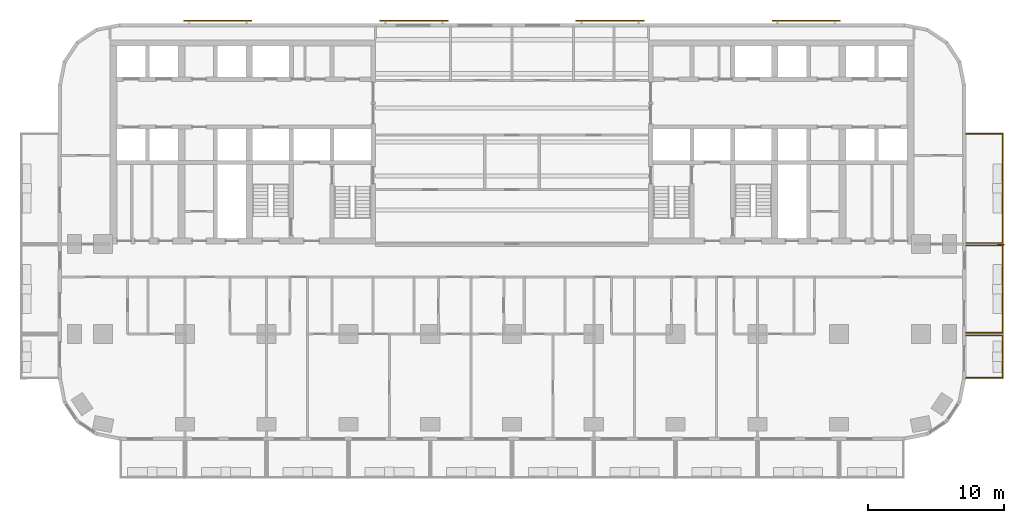
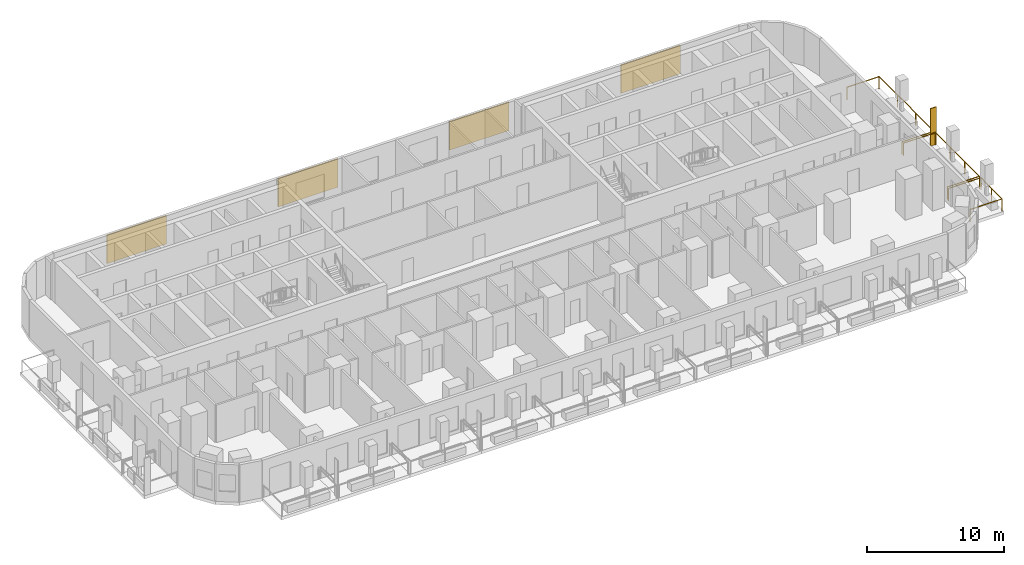
# One storey, part 13 of 14: 5 shading devices, 3 railings.
"""IFC4 building model written with IfcOpenShell, lengths in metres."""

from ifc_helpers import new_model, si_unit, direction, frame, origin, origin_2d, place, context, subcontext, project, spatial, rectangle, circle, extrude, material, layer, layer_set, type_object, element, save


model = new_model("IFC4")

# Units and contexts
model_context = context("Model", 3, precision=1e-05, world=origin(), true_north=direction((0.0, 1.0)))
body_context = subcontext(model_context, "Body", "Model", "MODEL_VIEW")
ifc_project = project(units=[si_unit("LENGTHUNIT", "METRE"), si_unit("AREAUNIT", "SQUARE_METRE"), si_unit("VOLUMEUNIT", "CUBIC_METRE"), si_unit("PLANEANGLEUNIT", "RADIAN"), si_unit("MASSUNIT", "GRAM", prefix="KILO")], contexts=[model_context])

# Site, building, storey
site_placement = place(None, origin())
site = spatial("IfcSite", under=ifc_project, at=site_placement, CompositionType="ELEMENT")
building_placement = place(site_placement, origin())
building = spatial("IfcBuilding", under=site, at=building_placement, Name="Torana Hotel and Residences", CompositionType="ELEMENT")
storey_placement = place(building_placement, frame((0.0, 0.0, 85.199951171875)))
storey = spatial("IfcBuildingStorey", under=building, at=storey_placement, Name="L21", CompositionType="ELEMENT", Elevation=85.199951171875)

# Shading device
ifc_material_1 = material(Name="Black powder coated aluminium", Category="aluminium")
ifc_layer_1 = layer(ifc_material_1, 0.080078125)
ifc_layer_set_1 = layer_set([ifc_layer_1], Name="FN1 VERTICAL FIN 500x80")
shading_device_type_1 = type_object("IfcShadingDeviceType", Name="FN1 VERTICAL FIN 500x80", PredefinedType="USERDEFINED", material=ifc_layer_set_1)
shading_device_placement = place(storey_placement, frame((35.85009765625, -15.0400390625, 0.0), z_axis=(0.0, 0.0, 1.0), x_axis=(0.0, -1.0, 0.0)))
element("IfcShadingDevice", 1, at=shading_device_placement, inside=storey, type_object=shading_device_type_1, Name="Fin 15", ObjectType="FIN", PredefinedType="USERDEFINED", context=body_context, shape_type="SweptSolid", body=[
    extrude(rectangle(XDim=0.080078125, YDim=0.5, at=origin_2d()), origin(), (0.0, 0.0, 1.0), 3.320068359375),
])

# Railings
ifc_material_2 = material(Name="Laminated glass balustrade with black handrail", Category="glass")
railing_type = type_object("IfcRailingType", Name="GR1 BALCONY GUARD 1100 GLASS", PredefinedType="GUARDRAIL", material=ifc_material_2)
railing_1_placement = place(storey_placement, frame((33.300048828125, -21.699951171875, 0.0)))
element("IfcRailing", 2, at=railing_1_placement, inside=storey, type_object=railing_type, Name="Balcony guard 14", PredefinedType="GUARDRAIL", context=body_context, shape_type="SweptSolid", body=[
    extrude(circle(Radius=0.02392578125, at=origin_2d()), frame((0.0, 0.0, 1.076171875), z_axis=(1.0, 0.0, 0.0), x_axis=(0.0, 1.0, 0.0)), (0.0, 0.0, 1.0), 2.699951171875),
    extrude(circle(Radius=0.02392578125, at=origin_2d()), frame((2.699951171875, 0.0, 1.076171875), z_axis=(0.0, -1.0, 0.0), x_axis=(1.0, 0.0, 0.0)), (0.0, 0.0, 1.0), 3.10009765625),
    extrude(circle(Radius=0.02392578125, at=origin_2d()), frame((2.699951171875, -3.10009765625, 1.076171875), z_axis=(-1.0, 0.0, 0.0), x_axis=(0.0, -1.0, 0.0)), (0.0, 0.0, 1.0), 2.699951171875),
    extrude(circle(Radius=0.02099609375, at=origin_2d()), origin(), (0.0, 0.0, 1.0), 1.052001953125),
    extrude(circle(Radius=0.02099609375, at=origin_2d()), frame((2.699951171875, 0.0, 0.0)), (0.0, 0.0, 1.0), 1.052001953125),
    extrude(circle(Radius=0.02099609375, at=origin_2d()), frame((2.699951171875, -1.550048828125, 0.0)), (0.0, 0.0, 1.0), 1.052001953125),
    extrude(circle(Radius=0.02099609375, at=origin_2d()), frame((2.699951171875, -3.10009765625, 0.0)), (0.0, 0.0, 1.0), 1.052001953125),
    extrude(circle(Radius=0.02099609375, at=origin_2d()), frame((0.0, -3.10009765625, 0.0)), (0.0, 0.0, 1.0), 1.052001953125),
])
railing_2_placement = place(storey_placement, frame((33.300048828125, -15.10009765625, 0.0)))
element("IfcRailing", 3, at=railing_2_placement, inside=storey, type_object=railing_type, Name="Balcony guard 15", PredefinedType="GUARDRAIL", context=body_context, shape_type="SweptSolid", body=[
    extrude(circle(Radius=0.02392578125, at=origin_2d()), frame((0.0, 0.0, 1.076171875), z_axis=(1.0, 0.0, 0.0), x_axis=(0.0, 1.0, 0.0)), (0.0, 0.0, 1.0), 2.699951171875),
    extrude(circle(Radius=0.02392578125, at=origin_2d()), frame((2.699951171875, 0.0, 1.076171875), z_axis=(0.0, -1.0, 0.0), x_axis=(1.0, 0.0, 0.0)), (0.0, 0.0, 1.0), 6.39990234375),
    extrude(circle(Radius=0.02392578125, at=origin_2d()), frame((2.699951171875, -6.39990234375, 1.076171875), z_axis=(-1.0, 0.0, 0.0), x_axis=(0.0, -1.0, 0.0)), (0.0, 0.0, 1.0), 2.699951171875),
    extrude(circle(Radius=0.02099609375, at=origin_2d()), origin(), (0.0, 0.0, 1.0), 1.052001953125),
    extrude(circle(Radius=0.02099609375, at=origin_2d()), frame((2.699951171875, 0.0, 0.0)), (0.0, 0.0, 1.0), 1.052001953125),
    extrude(circle(Radius=0.02099609375, at=origin_2d()), frame((2.699951171875, -2.13330078125, 0.0)), (0.0, 0.0, 1.0), 1.052001953125),
    extrude(circle(Radius=0.02099609375, at=origin_2d()), frame((2.699951171875, -4.2666015625, 0.0)), (0.0, 0.0, 1.0), 1.052001953125),
    extrude(circle(Radius=0.02099609375, at=origin_2d()), frame((2.699951171875, -6.39990234375, 0.0)), (0.0, 0.0, 1.0), 1.052001953125),
    extrude(circle(Radius=0.02099609375, at=origin_2d()), frame((0.0, -6.39990234375, 0.0)), (0.0, 0.0, 1.0), 1.052001953125),
])
railing_3_placement = place(storey_placement, frame((33.300048828125, -6.89990234375, 0.0)))
element("IfcRailing", 4, at=railing_3_placement, inside=storey, type_object=railing_type, Name="Balcony guard 16", PredefinedType="GUARDRAIL", context=body_context, shape_type="SweptSolid", body=[
    extrude(circle(Radius=0.02392578125, at=origin_2d()), frame((0.0, 0.0, 1.076171875), z_axis=(1.0, 0.0, 0.0), x_axis=(0.0, 1.0, 0.0)), (0.0, 0.0, 1.0), 2.699951171875),
    extrude(circle(Radius=0.02392578125, at=origin_2d()), frame((2.699951171875, 0.0, 1.076171875), z_axis=(0.0, -1.0, 0.0), x_axis=(1.0, 0.0, 0.0)), (0.0, 0.0, 1.0), 8.0),
    extrude(circle(Radius=0.02392578125, at=origin_2d()), frame((2.699951171875, -8.0, 1.076171875), z_axis=(-1.0, 0.0, 0.0), x_axis=(0.0, -1.0, 0.0)), (0.0, 0.0, 1.0), 2.699951171875),
    extrude(circle(Radius=0.02099609375, at=origin_2d()), origin(), (0.0, 0.0, 1.0), 1.052001953125),
    extrude(circle(Radius=0.02099609375, at=origin_2d()), frame((2.699951171875, 0.0, 0.0)), (0.0, 0.0, 1.0), 1.052001953125),
    extrude(circle(Radius=0.02099609375, at=origin_2d()), frame((2.699951171875, -2.666748046875, 0.0)), (0.0, 0.0, 1.0), 1.052001953125),
    extrude(circle(Radius=0.02099609375, at=origin_2d()), frame((2.699951171875, -5.333251953125, 0.0)), (0.0, 0.0, 1.0), 1.052001953125),
    extrude(circle(Radius=0.02099609375, at=origin_2d()), frame((2.699951171875, -8.0, 0.0)), (0.0, 0.0, 1.0), 1.052001953125),
    extrude(circle(Radius=0.02099609375, at=origin_2d()), frame((0.0, -8.0, 0.0)), (0.0, 0.0, 1.0), 1.052001953125),
])

# Shading devices
ifc_material_3 = material(Name="Concrete C40/50 precast", Category="concrete")
ifc_layer_2 = layer(ifc_material_3, 0.10009765625)
ifc_layer_set_2 = layer_set([ifc_layer_2], Name="SC1 PERFORATED BLOCK SCREEN PANEL 100")
shading_device_type_2 = type_object("IfcShadingDeviceType", Name="SC1 PERFORATED BLOCK SCREEN PANEL 100", PredefinedType="USERDEFINED", material=ifc_layer_set_2)
for number, where, z_axis, x_axis, name in (
    (5, (21.58154296875, 1.39990234375, 0.5), (0.0, 0.0, 1.0), (-1.0, 0.0, 0.0), "Perforated block screen L21"),
    (6, (7.19384765625, 1.39990234375, 0.5), (0.0, 0.0, 1.0), (-1.0, 0.0, 0.0), "Perforated block screen L21"),
    (7, (-7.19384765625, 1.39990234375, 0.5), (0.0, 0.0, 1.0), (-1.0, 0.0, 0.0), "Perforated block screen L21"),
    (8, (-21.58154296875, 1.39990234375, 0.5), (0.0, 0.0, 1.0), (-1.0, 0.0, 0.0), "Perforated block screen L21"),
):
    element("IfcShadingDevice", number, at=place(storey_placement, frame(where, z_axis=z_axis, x_axis=x_axis)), inside=storey, type_object=shading_device_type_2, Name=name, ObjectType="SCREEN", PredefinedType="USERDEFINED", context=body_context, shape_type="SweptSolid", body=[
        extrude(rectangle(XDim=5.0, YDim=0.10009765625, at=origin_2d()), origin(), (0.0, 0.0, 1.0), 2.52001953125),
    ])

save(model, "model.ifc")
